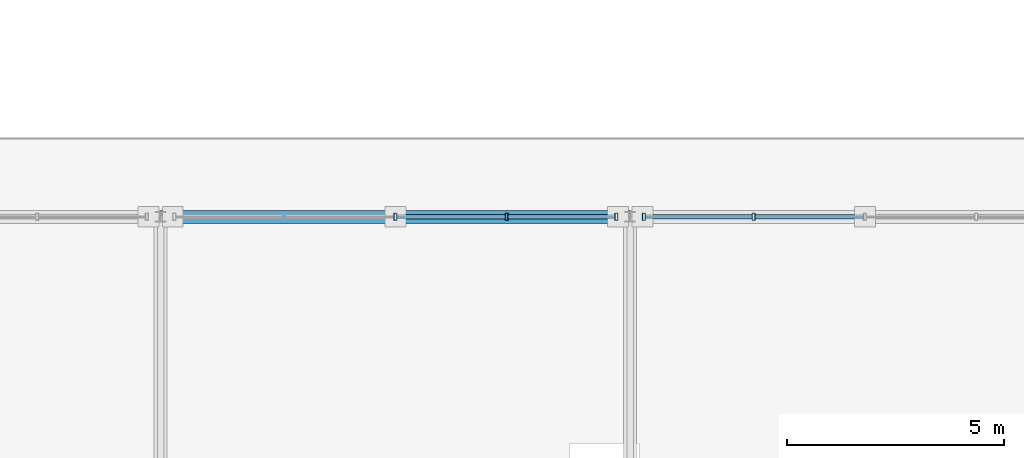
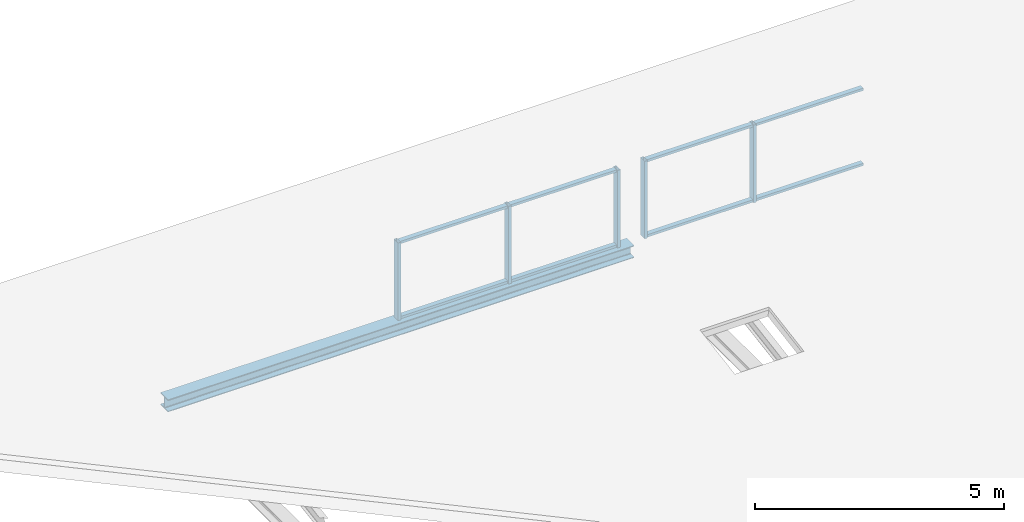
# One storey, part 89 of 117: 13 members, 1 beam, 2 elements without a shape of their own.
"""IFC4 building model written with IfcOpenShell, lengths in metres."""

import ifcopenshell
import ifcopenshell.guid

model = None  # the IFC model being written
_history = None  # IfcOwnerHistory: only IFC2X3 demands one
_inside = {}  # id of a spatial element -> (the spatial element, [elements in it])
_under = {}  # id of a project, library or spatial element -> (it, [spatial elements below it])
_declared = {}  # id of a project -> (the project, [libraries it declares])
_typed = {}  # id of a type object -> (the type object, [elements of that type])
_made_of = {}  # id of a material, layer set ... -> (it, [elements and type objects made of it])


def new_model(schema):
    """Start an empty IFC model of exactly this schema.

    Asked for "IFC4X3", IfcOpenShell would pick the latest addendum, in which some entities
    have other attributes; the version numbers below select the first issue.
    IFC2X3 requires an IfcOwnerHistory on every rooted entity: one is made here for all.
    """
    global model, _history
    if schema == "IFC4X3":
        model = ifcopenshell.file(schema_version=(4, 3, 0, 0))
    else:
        model = ifcopenshell.file(schema=schema)
    _inside.clear()
    _under.clear()
    _declared.clear()
    _typed.clear()
    _made_of.clear()
    _history = None
    if model.schema == "IFC2X3":
        org = make("IfcOrganization", Name="unknown")
        user = make(
            "IfcPersonAndOrganization",
            ThePerson=make("IfcPerson", FamilyName="unknown"),
            TheOrganization=org,
        )
        app = make(
            "IfcApplication",
            ApplicationDeveloper=org,
            Version="unknown",
            ApplicationFullName="unknown",
            ApplicationIdentifier="unknown",
        )
        _history = make(
            "IfcOwnerHistory",
            OwningUser=user,
            OwningApplication=app,
            ChangeAction="ADDED",
            CreationDate=0,
        )
    return model


def make(cls, **values):
    """One entity of the class cls with the attributes given. An attribute that is None is left unset."""
    return model.create_entity(
        cls, **{name: value for name, value in values.items() if value is not None}
    )


def rooted(cls, **values):
    """An entity with a GlobalId (a new one), such as an element, a storey or a relation."""
    return make(cls, GlobalId=ifcopenshell.guid.new(), OwnerHistory=_history, **values)


def si_unit(unit_type, name, prefix=None):
    """IfcSIUnit, for example si_unit("LENGTHUNIT", "METRE", prefix="MILLI")."""
    return make("IfcSIUnit", UnitType=unit_type, Prefix=prefix, Name=name)


def assignment(units):
    """IfcUnitAssignment: the units of a project."""
    return None if units is None else make("IfcUnitAssignment", Units=units)


def point(xyz):
    """IfcCartesianPoint."""
    return None if xyz is None else make("IfcCartesianPoint", Coordinates=xyz)


def direction(xyz):
    """IfcDirection."""
    return None if xyz is None else make("IfcDirection", DirectionRatios=xyz)


def frame(location, z_axis=None, x_axis=None):
    """IfcAxis2Placement3D, a coordinate frame: its origin and axes. An axis left out is left unset."""
    return make(
        "IfcAxis2Placement3D",
        Location=point(location),
        Axis=direction(z_axis),
        RefDirection=direction(x_axis),
    )


def frame_2d(location, x_axis=None):
    """IfcAxis2Placement2D, a coordinate frame in the plane: its origin and x axis."""
    return make(
        "IfcAxis2Placement2D", Location=point(location), RefDirection=direction(x_axis)
    )


def origin():
    """The frame at (0, 0, 0) with its axes left unset."""
    return frame((0.0, 0.0, 0.0))


def origin_2d():
    """The frame at (0, 0) in the plane with its x axis left unset."""
    return frame_2d((0.0, 0.0))


def place(relative_to, where):
    """IfcLocalPlacement: puts the frame where relative to a parent placement (None: the world)."""
    return make(
        "IfcLocalPlacement", PlacementRelTo=relative_to, RelativePlacement=where
    )


def context(
    kind, dimensions, precision=None, world=None, true_north=None, identifier=None
):
    """IfcGeometricRepresentationContext, for example the 3D "Model" context."""
    return make(
        "IfcGeometricRepresentationContext",
        ContextIdentifier=identifier,
        ContextType=kind,
        CoordinateSpaceDimension=dimensions,
        Precision=precision,
        WorldCoordinateSystem=world,
        TrueNorth=true_north,
    )


def subcontext(parent, identifier, kind, view, scale=None):
    """IfcGeometricRepresentationSubContext, for example "Body" below "Model"."""
    return make(
        "IfcGeometricRepresentationSubContext",
        ContextIdentifier=identifier,
        ContextType=kind,
        ParentContext=parent,
        TargetScale=scale,
        TargetView=view,
    )


def project(units=None, contexts=None):
    """IfcProject with its units and contexts."""
    return rooted(
        "IfcProject",
        Name="project",
        RepresentationContexts=contexts,
        UnitsInContext=assignment(units),
    )


def spatial(cls, under=None, at=None, **own):
    """A site, building, storey or space (cls), placed at a placement, below another one or the project."""
    s = rooted(cls, ObjectPlacement=at, **own)
    if under is not None:
        _under.setdefault(under.id(), (under, []))[1].append(s)
    return s


def profile(cls, at=None, kind="AREA", **sizes):
    """A parametric profile (cls). Its sizes go by their IFC names, for example OverallWidth=200.0."""
    return make(cls, ProfileType=kind, Position=at, **sizes)


def hollow_rectangle(**sizes):
    """IfcRectangleHollowProfileDef."""
    return profile("IfcRectangleHollowProfileDef", **sizes)


def i_section(**sizes):
    """IfcIShapeProfileDef."""
    return profile("IfcIShapeProfileDef", **sizes)


def extrude(swept, where, along, depth):
    """IfcExtrudedAreaSolid: the profile swept, set in the frame where, extruded along a direction by depth."""
    return make(
        "IfcExtrudedAreaSolid",
        SweptArea=swept,
        Position=where,
        ExtrudedDirection=direction(along),
        Depth=depth,
    )


def shape(context_of_items, identifier, shape_type, items):
    """IfcShapeRepresentation: the items that make up one representation, for example the "Body"."""
    return make(
        "IfcShapeRepresentation",
        ContextOfItems=context_of_items,
        RepresentationIdentifier=identifier,
        RepresentationType=shape_type,
        Items=items,
    )


def material(Name=None, Category=None):
    """IfcMaterial."""
    return make("IfcMaterial", Name=Name, Category=Category)


def material_profile(
    of_material, cross_section, Name=None, Category=None, Priority=None
):
    """IfcMaterialProfile: a cross section and its material."""
    return make(
        "IfcMaterialProfile",
        Name=Name,
        Material=of_material,
        Profile=cross_section,
        Priority=Priority,
        Category=Category,
    )


def profile_set(profiles, Name=None, composite=None):
    """IfcMaterialProfileSet."""
    return make(
        "IfcMaterialProfileSet",
        Name=Name,
        MaterialProfiles=profiles,
        CompositeProfile=composite,
    )


def made_of(thing, what):
    """Note that an element or type object is made of a material, layer set ...; save() writes the relation."""
    if what is not None:
        _made_of.setdefault(what.id(), (what, []))[1].append(thing)
    return thing


def type_object(cls, material=None, **own):
    """A type object (cls), such as IfcWallType, which elements share."""
    return made_of(rooted(cls, **own), material)


def element(
    cls,
    number,
    at=None,
    inside=None,
    cuts=None,
    type_object=None,
    material=None,
    context=None,
    identifier="Body",
    shape_type=None,
    held_by="IfcProductDefinitionShape",
    body=None,
    shapes=None,
    **own,
):
    """One element of the class cls, such as IfcWall. Its Tag is "e" and its number.

    at: its placement. inside: the storey or other place that contains it. cuts: it is an
    opening in that element (IfcRelVoidsElement). A single representation is given by context,
    identifier, shape_type and body (its items); several are given by shapes. held_by: the class
    of the entity that holds the representations. save() writes the other relations.
    """
    e = rooted(cls, Tag="e%d" % number, ObjectPlacement=at, **own)
    if body is not None:
        shapes = [shape(context, identifier, shape_type, body)]
    if shapes is not None:
        e.Representation = make(held_by, Representations=shapes)
    if inside is not None:
        _inside.setdefault(inside.id(), (inside, []))[1].append(e)
    if cuts is not None:
        rooted(
            "IfcRelVoidsElement", RelatingBuildingElement=cuts, RelatedOpeningElement=e
        )
    if type_object is not None:
        _typed.setdefault(type_object.id(), (type_object, []))[1].append(e)
    return made_of(e, material)


def aggregate(whole, parts):
    """IfcRelAggregates: a whole, such as a stair, and the parts it consists of."""
    return rooted("IfcRelAggregates", RelatingObject=whole, RelatedObjects=parts)


def save(model, path):
    """Write the relations noted so far, then the file.

    IfcRelAggregates (storeys below a building ...), IfcRelContainedInSpatialStructure (elements
    in a storey), IfcRelDefinesByType, IfcRelAssociatesMaterial and IfcRelDeclares: one each for
    every whole, place, type object, material and project.
    """
    for whole, parts in _under.values():
        aggregate(whole, parts)
    for where, things in _inside.values():
        rooted(
            "IfcRelContainedInSpatialStructure",
            RelatedElements=things,
            RelatingStructure=where,
        )
    for kind, things in _typed.values():
        rooted("IfcRelDefinesByType", RelatedObjects=things, RelatingType=kind)
    for what, things in _made_of.values():
        rooted("IfcRelAssociatesMaterial", RelatedObjects=things, RelatingMaterial=what)
    for by, libraries in _declared.values():
        rooted("IfcRelDeclares", RelatingContext=by, RelatedDefinitions=libraries)
    model.write(path)


model = new_model("IFC4")

# Units and contexts
model_context = context("Model", 3, precision=1e-05, world=origin(), true_north=direction((0.0, 1.0)))
body_context = subcontext(model_context, "Body", "Model", "MODEL_VIEW")
ifc_project = project(units=[si_unit("LENGTHUNIT", "METRE"), si_unit("AREAUNIT", "SQUARE_METRE"), si_unit("VOLUMEUNIT", "CUBIC_METRE"), si_unit("PLANEANGLEUNIT", "RADIAN"), si_unit("MASSUNIT", "GRAM", prefix="KILO")], contexts=[model_context])

# Site, building, storey
site_placement = place(None, origin())
site = spatial("IfcSite", under=ifc_project, at=site_placement, CompositionType="ELEMENT")
building_placement = place(site_placement, origin())
building = spatial("IfcBuilding", under=site, at=building_placement, Name="Merenkruunu Market Hall", CompositionType="ELEMENT")
storey_placement = place(building_placement, frame((0.0, 0.0, 10.199951171875)))
storey = spatial("IfcBuildingStorey", under=building, at=storey_placement, Name="L02", CompositionType="ELEMENT", Elevation=10.199951171875)

# Curtain wall, members
ifc_material_1 = material(Name="Powder-coated aluminium", Category="aluminium")
curtain_wall_type = type_object("IfcCurtainWallType", Name="Clerestory Curtain Band CL01", PredefinedType="USERDEFINED", material=ifc_material_1)
curtain_wall_1_placement = place(storey_placement, origin())
curtain_wall_1 = element("IfcCurtainWall", 1, at=curtain_wall_1_placement, inside=storey, type_object=curtain_wall_type, Name="CW-L02-CWM04-229", ObjectType="CLERESTORY_BAND", PredefinedType="USERDEFINED")
ifc_material_profile_1 = material_profile(ifc_material_1, hollow_rectangle(XDim=0.070068359375, YDim=0.169921875, WallThickness=0.0048828125, at=origin_2d()), Name="ALU 70x170x5")
ifc_profile_set_1 = profile_set([ifc_material_profile_1], Name="Powder-coated aluminium")
member_type_1 = type_object("IfcMemberType", Name="Curtain Wall Mullion CWM04", PredefinedType="MULLION", material=ifc_profile_set_1)
member_1_placement = place(storey_placement, frame((165.0, 63.60009765625, 0.02001953125), z_axis=(0.0, 0.0, 1.0), x_axis=(1.0, 0.0, 0.0)))
member_1 = element("IfcMember", 2, at=member_1_placement, type_object=member_type_1, Name="CL01 mullion 3", PredefinedType="MULLION", context=body_context, shape_type="SweptSolid", body=[
    extrude(hollow_rectangle(XDim=0.070068359375, YDim=0.169921875, WallThickness=0.0048828125, at=origin_2d()), origin(), (0.0, 0.0, 1.0), 1.900146484375),
])
member_2_placement = place(storey_placement, frame((167.56005859375, 63.60009765625, 0.02001953125), z_axis=(0.0, 0.0, 1.0), x_axis=(1.0, 0.0, 0.0)))
member_2 = element("IfcMember", 3, at=member_2_placement, type_object=member_type_1, Name="CL01 mullion 4", PredefinedType="MULLION", context=body_context, shape_type="SweptSolid", body=[
    extrude(hollow_rectangle(XDim=0.070068359375, YDim=0.169921875, WallThickness=0.0048828125, at=origin_2d()), origin(), (0.0, 0.0, 1.0), 1.900146484375),
])
member_3_placement = place(storey_placement, frame((170.0849609375, 63.60009765625, 0.02001953125), z_axis=(0.0, 0.0, 1.0), x_axis=(1.0, 0.0, 0.0)))
member_3 = element("IfcMember", 4, at=member_3_placement, type_object=member_type_1, Name="CL01 mullion 5", PredefinedType="MULLION", context=body_context, shape_type="SweptSolid", body=[
    extrude(hollow_rectangle(XDim=0.070068359375, YDim=0.169921875, WallThickness=0.0048828125, at=origin_2d()), origin(), (0.0, 0.0, 1.0), 1.900146484375),
])

curtain_wall_2_placement = place(storey_placement, origin())
curtain_wall_2 = element("IfcCurtainWall", 5, at=curtain_wall_2_placement, inside=storey, type_object=curtain_wall_type, Name="CW-L02-CWM04-230", ObjectType="CLERESTORY_BAND", PredefinedType="USERDEFINED")
member_4_placement = place(storey_placement, frame((170.715087890625, 63.60009765625, 0.02001953125), z_axis=(0.0, 0.0, 1.0), x_axis=(1.0, 0.0, 0.0)))
member_4 = element("IfcMember", 6, at=member_4_placement, type_object=member_type_1, Name="CL01 mullion 1", PredefinedType="MULLION", context=body_context, shape_type="SweptSolid", body=[
    extrude(hollow_rectangle(XDim=0.070068359375, YDim=0.169921875, WallThickness=0.0048828125, at=origin_2d()), origin(), (0.0, 0.0, 1.0), 1.900146484375),
])
member_5_placement = place(storey_placement, frame((173.239990234375, 63.60009765625, 0.02001953125), z_axis=(0.0, 0.0, 1.0), x_axis=(1.0, 0.0, 0.0)))
member_5 = element("IfcMember", 7, at=member_5_placement, type_object=member_type_1, Name="CL01 mullion 2", PredefinedType="MULLION", context=body_context, shape_type="SweptSolid", body=[
    extrude(hollow_rectangle(XDim=0.070068359375, YDim=0.169921875, WallThickness=0.0048828125, at=origin_2d()), origin(), (0.0, 0.0, 1.0), 1.900146484375),
])

# Member
ifc_material_profile_2 = material_profile(ifc_material_1, hollow_rectangle(XDim=0.06005859375, YDim=0.110107421875, WallThickness=0.00390625, at=origin_2d()), Name="ALU 60x110x4")
ifc_profile_set_2 = profile_set([ifc_material_profile_2], Name="Powder-coated aluminium")
member_type_2 = type_object("IfcMemberType", Name="Curtain Wall Transom CWT03", PredefinedType="USERDEFINED", material=ifc_profile_set_2)
member_6_placement = place(storey_placement, frame((165.034912109375, 63.60009765625, 0.050048828125), z_axis=(1.0, 0.0, 0.0), x_axis=(0.0, 0.0, 1.0)))
member_6 = element("IfcMember", 8, at=member_6_placement, type_object=member_type_2, Name="CL01 transom 3.1", ObjectType="TRANSOM", PredefinedType="USERDEFINED", context=body_context, shape_type="SweptSolid", body=[
    extrude(hollow_rectangle(XDim=0.06005859375, YDim=0.110107421875, WallThickness=0.00390625, at=origin_2d()), origin(), (0.0, 0.0, 1.0), 2.489990234375),
])

member_7_placement = place(storey_placement, frame((165.034912109375, 63.60009765625, 1.89013671875), z_axis=(1.0, 0.0, 0.0), x_axis=(0.0, 0.0, 1.0)))
member_7 = element("IfcMember", 9, at=member_7_placement, type_object=member_type_2, Name="CL01 transom 3.2", ObjectType="TRANSOM", PredefinedType="USERDEFINED", context=body_context, shape_type="SweptSolid", body=[
    extrude(hollow_rectangle(XDim=0.06005859375, YDim=0.110107421875, WallThickness=0.00390625, at=origin_2d()), origin(), (0.0, 0.0, 1.0), 2.489990234375),
])

member_8_placement = place(storey_placement, frame((167.594970703125, 63.60009765625, 0.050048828125), z_axis=(1.0, 0.0, 0.0), x_axis=(0.0, 0.0, 1.0)))
member_8 = element("IfcMember", 10, at=member_8_placement, type_object=member_type_2, Name="CL01 transom 4.1", ObjectType="TRANSOM", PredefinedType="USERDEFINED", context=body_context, shape_type="SweptSolid", body=[
    extrude(hollow_rectangle(XDim=0.06005859375, YDim=0.110107421875, WallThickness=0.00390625, at=origin_2d()), origin(), (0.0, 0.0, 1.0), 2.455078125),
])

member_9_placement = place(storey_placement, frame((167.594970703125, 63.60009765625, 1.89013671875), z_axis=(1.0, 0.0, 0.0), x_axis=(0.0, 0.0, 1.0)))
member_9 = element("IfcMember", 11, at=member_9_placement, type_object=member_type_2, Name="CL01 transom 4.2", ObjectType="TRANSOM", PredefinedType="USERDEFINED", context=body_context, shape_type="SweptSolid", body=[
    extrude(hollow_rectangle(XDim=0.06005859375, YDim=0.110107421875, WallThickness=0.00390625, at=origin_2d()), origin(), (0.0, 0.0, 1.0), 2.455078125),
])

aggregate(curtain_wall_1, [member_1, member_2, member_3, member_6, member_7, member_8, member_9])

member_10_placement = place(storey_placement, frame((170.75, 63.60009765625, 0.050048828125), z_axis=(1.0, 0.0, 0.0), x_axis=(0.0, 0.0, 1.0)))
member_10 = element("IfcMember", 12, at=member_10_placement, type_object=member_type_2, Name="CL01 transom 1.1", ObjectType="TRANSOM", PredefinedType="USERDEFINED", context=body_context, shape_type="SweptSolid", body=[
    extrude(hollow_rectangle(XDim=0.06005859375, YDim=0.110107421875, WallThickness=0.00390625, at=origin_2d()), origin(), (0.0, 0.0, 1.0), 2.455078125),
])

member_11_placement = place(storey_placement, frame((170.75, 63.60009765625, 1.89013671875), z_axis=(1.0, 0.0, 0.0), x_axis=(0.0, 0.0, 1.0)))
member_11 = element("IfcMember", 13, at=member_11_placement, type_object=member_type_2, Name="CL01 transom 1.2", ObjectType="TRANSOM", PredefinedType="USERDEFINED", context=body_context, shape_type="SweptSolid", body=[
    extrude(hollow_rectangle(XDim=0.06005859375, YDim=0.110107421875, WallThickness=0.00390625, at=origin_2d()), origin(), (0.0, 0.0, 1.0), 2.455078125),
])

member_12_placement = place(storey_placement, frame((173.27490234375, 63.60009765625, 0.050048828125), z_axis=(1.0, 0.0, 0.0), x_axis=(0.0, 0.0, 1.0)))
member_12 = element("IfcMember", 14, at=member_12_placement, type_object=member_type_2, Name="CL01 transom 2.1", ObjectType="TRANSOM", PredefinedType="USERDEFINED", context=body_context, shape_type="SweptSolid", body=[
    extrude(hollow_rectangle(XDim=0.06005859375, YDim=0.110107421875, WallThickness=0.00390625, at=origin_2d()), origin(), (0.0, 0.0, 1.0), 2.489990234375),
])

member_13_placement = place(storey_placement, frame((173.27490234375, 63.60009765625, 1.89013671875), z_axis=(1.0, 0.0, 0.0), x_axis=(0.0, 0.0, 1.0)))
member_13 = element("IfcMember", 15, at=member_13_placement, type_object=member_type_2, Name="CL01 transom 2.2", ObjectType="TRANSOM", PredefinedType="USERDEFINED", context=body_context, shape_type="SweptSolid", body=[
    extrude(hollow_rectangle(XDim=0.06005859375, YDim=0.110107421875, WallThickness=0.00390625, at=origin_2d()), origin(), (0.0, 0.0, 1.0), 2.489990234375),
])

aggregate(curtain_wall_2, [member_4, member_5, member_10, member_11, member_12, member_13])

# Beam
ifc_material_2 = material(Name="Steel S355J2", Category="steel")
ifc_material_profile_3 = material_profile(ifc_material_2, i_section(OverallWidth=0.300048828125, OverallDepth=0.300048828125, WebThickness=0.010986328125, FlangeThickness=0.01904296875, FilletRadius=0.027099609375, at=origin_2d()), Name="HEB 300")
ifc_profile_set_3 = profile_set([ifc_material_profile_3], Name="Steel S355J2")
beam_type = type_object("IfcBeamType", Name="Primary Floor Girder B05", PredefinedType="BEAM", material=ifc_profile_set_3)
beam_placement = place(storey_placement, frame((159.60009765625, 63.60009765625, -0.14990234375), z_axis=(1.0, 0.0, 0.0), x_axis=(0.0, 1.0, 0.0)))
element("IfcBeam", 16, at=beam_placement, inside=storey, type_object=beam_type, Name="BM-L02-B05-1047", PredefinedType="BEAM", context=body_context, shape_type="SweptSolid", body=[
    extrude(i_section(OverallWidth=0.300048828125, OverallDepth=0.300048828125, WebThickness=0.010986328125, FlangeThickness=0.01904296875, FilletRadius=0.027099609375, at=origin_2d()), origin(), (0.0, 0.0, 1.0), 10.7998046875),
])

save(model, "model.ifc")
